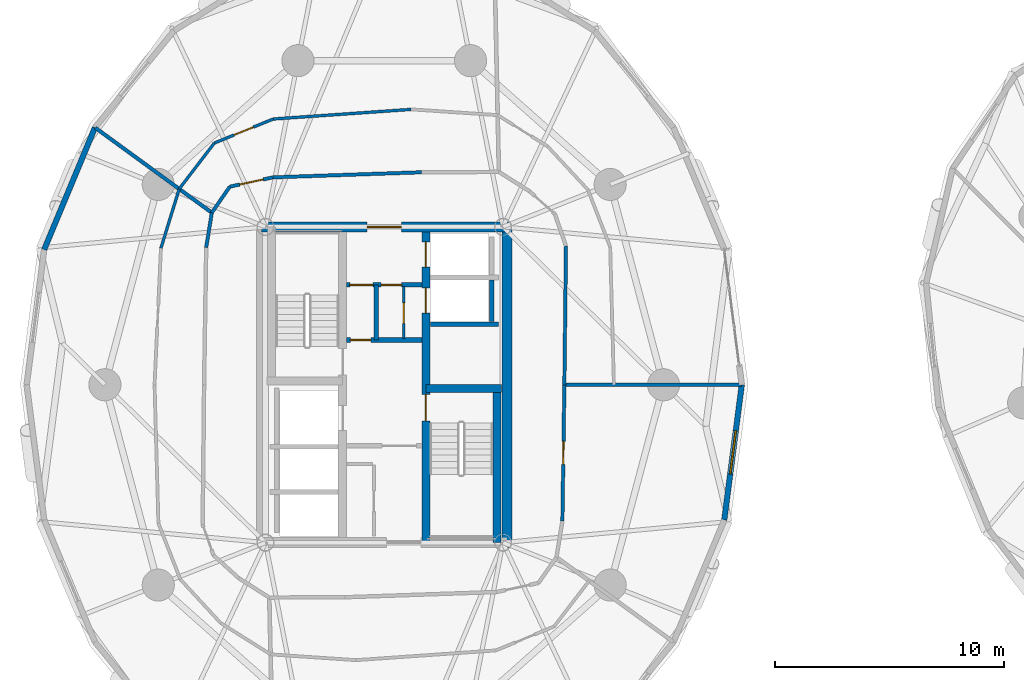
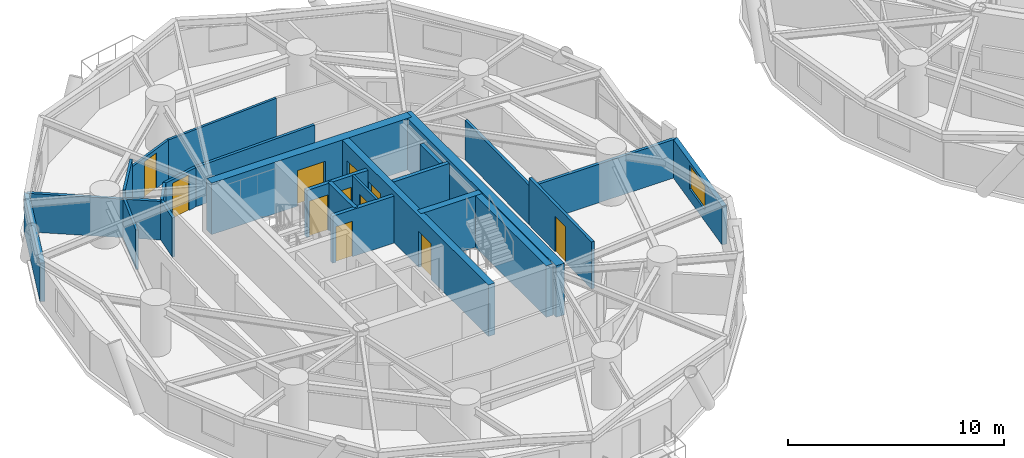
# One storey, part 10 of 18: 25 walls, 11 doors, 1 window, 12 openings.
"""IFC4 building model written with IfcOpenShell, lengths in metres."""

from ifc_helpers import new_model, si_unit, direction, frame, frame_2d, origin, place, context, subcontext, project, spatial, rectangle, extrude, source, transform, mapped, material, layer, layer_set, type_object, element, fill, save


model = new_model("IFC4")

# Units and contexts
model_context = context("Model", 3, precision=1e-05, world=origin(), true_north=direction((0.0, 1.0)))
body_context = subcontext(model_context, "Body", "Model", "MODEL_VIEW")
ifc_project = project(units=[si_unit("LENGTHUNIT", "METRE"), si_unit("AREAUNIT", "SQUARE_METRE"), si_unit("VOLUMEUNIT", "CUBIC_METRE"), si_unit("PLANEANGLEUNIT", "RADIAN"), si_unit("MASSUNIT", "GRAM", prefix="KILO")], contexts=[model_context])

# Site, building, storey
site_placement = place(None, origin())
site = spatial("IfcSite", under=ifc_project, at=site_placement, CompositionType="ELEMENT")
building_placement = place(site_placement, origin())
building = spatial("IfcBuilding", under=site, at=building_placement, Name="Cununo Teusaquillo Station Towers", CompositionType="ELEMENT")
storey_placement = place(building_placement, frame((0.0, 0.0, 87.610107421875)))
storey = spatial("IfcBuildingStorey", under=building, at=storey_placement, Name="L27", CompositionType="ELEMENT", Elevation=87.610107421875)

# Walls
ifc_material_1 = material(Name="Concrete C50/60", Category="concrete")
ifc_layer_1 = layer(ifc_material_1, 0.199951171875)
ifc_layer_set_1 = layer_set([ifc_layer_1], Name="Concrete C50/60")
wall_type_1 = type_object("IfcWallType", Name="WL-CORE-200", PredefinedType="SHEAR", material=ifc_layer_set_1)
wall_1_placement = place(storey_placement, frame((18.510009765625, 27.1298828125, 0.0), z_axis=(0.0, 0.0, 1.0), x_axis=(1.0, 0.0, 0.0)))
element("IfcWall", 1, at=wall_1_placement, inside=storey, type_object=wall_type_1, Name="L27 Tower A Low-Rise Lift Hoistway South Shear Wall", PredefinedType="SHEAR", context=body_context, shape_type="SweptSolid", body=[
    extrude(rectangle(XDim=2.969970703125, YDim=0.199951171875, at=frame_2d((1.48486328125, 0.0))), origin(), (0.0, 0.0, 1.0), 2.909912109375),
])
wall_2_placement = place(storey_placement, frame((21.179931640625, 27.25, 0.0), z_axis=(0.0, 0.0, 1.0), x_axis=(0.0, 1.0, 0.0)))
element("IfcWall", 2, at=wall_2_placement, inside=storey, type_object=wall_type_1, Name="L27 Tower A Low-Rise Lift 1 Shaft Rear Shear Wall", PredefinedType="SHEAR", context=body_context, shape_type="SweptSolid", body=[
    extrude(rectangle(XDim=1.804931640625, YDim=0.199951171875, at=frame_2d((0.90234375, 0.0))), origin(), (0.0, 0.0, 1.0), 2.909912109375),
])

# Wall, openings, doors
ifc_material_2 = material(Name="Concrete C50/60", Category="concrete")
ifc_layer_2 = layer(ifc_material_2, 0.35009765625)
ifc_layer_set_2 = layer_set([ifc_layer_2], Name="Concrete C50/60")
wall_type_2 = type_object("IfcWallType", Name="WL-CORE-350", PredefinedType="SHEAR", material=ifc_layer_set_2)
wall_3_placement = place(storey_placement, frame((18.31494140625, 17.625, 0.0), z_axis=(0.0, 0.0, 1.0), x_axis=(0.0, 1.0, 0.0)))
wall_3 = element("IfcWall", 3, at=wall_3_placement, inside=storey, type_object=wall_type_2, Name="L27 Tower A Core Shear Wall IE", PredefinedType="SHEAR", context=body_context, shape_type="SweptSolid", body=[
    extrude(rectangle(XDim=13.75, YDim=0.35009765625, at=frame_2d((6.875, 0.0))), origin(), (0.0, 0.0, 1.0), 2.909912109375),
])
shared_shape_1 = source(origin(), body_context, "Body", "SweptSolid", [
    extrude(rectangle(XDim=1.10009765625, YDim=2.014892578125, at=frame_2d((0.550048828125, 1.00732421875))), frame((0.0, 0.18505859375, 0.0), z_axis=(0.0, -1.0, 0.0), x_axis=(1.0, 0.0, 0.0)), (0.0, 0.0, 1.0), 0.3701171875),
])
opening_1_placement = place(wall_3_placement, frame((10.0, 0.0, 0.0)))
opening_1 = element("IfcOpeningElement", 4, at=opening_1_placement, cuts=wall_3, Name="Opening LD-01", PredefinedType="OPENING", context=body_context, shape_type="MappedRepresentation", body=[
    mapped(shared_shape_1, transform((0.0, 0.0, 0.0), x_axis=(1.0, 0.0, 0.0), y_axis=(0.0, 1.0, 0.0), z_axis=(0.0, 0.0, 1.0), scale=1.0)),
])
opening_2_placement = place(wall_3_placement, frame((12.0, 0.0, 0.0)))
opening_2 = element("IfcOpeningElement", 5, at=opening_2_placement, cuts=wall_3, Name="Opening LD-01", PredefinedType="OPENING", context=body_context, shape_type="MappedRepresentation", body=[
    mapped(shared_shape_1, transform((0.0, 0.0, 0.0), x_axis=(1.0, 0.0, 0.0), y_axis=(0.0, 1.0, 0.0), z_axis=(0.0, 0.0, 1.0), scale=1.0)),
])
shared_shape_2 = source(origin(), body_context, "Body", "SweptSolid", [
    extrude(rectangle(XDim=1.14990234375, YDim=2.02001953125, at=frame_2d((0.574951171875, 1.010009765625))), frame((0.0, 0.18505859375, 0.0), z_axis=(0.0, -1.0, 0.0), x_axis=(1.0, 0.0, 0.0)), (0.0, 0.0, 1.0), 0.3701171875),
])
opening_3_placement = place(wall_3_placement, frame((5.304931640625, 0.0, 0.0)))
opening_3 = element("IfcOpeningElement", 6, at=opening_3_placement, cuts=wall_3, Name="Opening D-ST1", PredefinedType="OPENING", context=body_context, shape_type="MappedRepresentation", body=[
    mapped(shared_shape_2, transform((0.0, 0.0, 0.0), x_axis=(1.0, 0.0, 0.0), y_axis=(0.0, 1.0, 0.0), z_axis=(0.0, 0.0, 1.0), scale=1.0)),
])
ifc_material_3 = material(Name="Galvanised fire-rated hollow steel door assembly", Category="steel")
door_type_1 = type_object("IfcDoorType", Name="DR-LIFT-1100", OperationType="SLIDING_TO_LEFT", PredefinedType="DOOR", material=ifc_material_3)
shared_shape_3 = source(origin(), body_context, "Body", "SweptSolid", [
    extrude(rectangle(XDim=1.10009765625, YDim=2.014892578125, at=frame_2d((0.550048828125, 1.00732421875))), frame((0.0, 0.02490234375, 0.0), z_axis=(0.0, -1.0, 0.0), x_axis=(1.0, 0.0, 0.0)), (0.0, 0.0, 1.0), 0.050048828125),
])
door_1_placement = place(opening_1_placement, origin())
door_1 = element("IfcDoor", 7, at=door_1_placement, inside=storey, type_object=door_type_1, Name="L27 Lift PL-T1-L1 Sliding Landing Door", OperationType="SLIDING_TO_RIGHT", OverallHeight=2.014892578125, OverallWidth=1.10009765625, PredefinedType="DOOR", context=body_context, shape_type="MappedRepresentation", body=[
    mapped(shared_shape_3, transform((0.0, 0.0, 0.0), x_axis=(1.0, 0.0, 0.0), y_axis=(0.0, 1.0, 0.0), z_axis=(0.0, 0.0, 1.0), scale=1.0)),
])
fill(opening_1, door_1)
door_2_placement = place(opening_2_placement, origin())
door_2 = element("IfcDoor", 8, at=door_2_placement, inside=storey, type_object=door_type_1, Name="L27 Lift PL-T1-L2 Sliding Landing Door", OperationType="SLIDING_TO_LEFT", OverallHeight=2.014892578125, OverallWidth=1.10009765625, PredefinedType="DOOR", context=body_context, shape_type="MappedRepresentation", body=[
    mapped(shared_shape_3, transform((0.0, 0.0, 0.0), x_axis=(1.0, 0.0, 0.0), y_axis=(0.0, 1.0, 0.0), z_axis=(0.0, 0.0, 1.0), scale=1.0)),
])
fill(opening_2, door_2)
ifc_material_4 = material(Name="Galvanised fire-rated hollow steel door assembly", Category="steel")
door_type_2 = type_object("IfcDoorType", Name="DR-STAIR-1150", OperationType="NOTDEFINED", PredefinedType="DOOR", material=ifc_material_4)
shared_shape_4 = source(origin(), body_context, "Body", "SweptSolid", [
    extrude(rectangle(XDim=1.14990234375, YDim=2.02001953125, at=frame_2d((0.574951171875, 1.010009765625))), frame((0.0, 0.02490234375, 0.0), z_axis=(0.0, -1.0, 0.0), x_axis=(1.0, 0.0, 0.0)), (0.0, 0.0, 1.0), 0.050048828125),
])
door_3_placement = place(opening_3_placement, origin())
door_3 = element("IfcDoor", 9, at=door_3_placement, inside=storey, type_object=door_type_2, Name="L27 Tower A Exit Stair 2 Fire Door", OperationType="SINGLE_SWING_RIGHT", OverallHeight=2.02001953125, OverallWidth=1.14990234375, PredefinedType="DOOR", context=body_context, shape_type="MappedRepresentation", body=[
    mapped(shared_shape_4, transform((0.0, 0.0, 0.0), x_axis=(1.0, 0.0, 0.0), y_axis=(0.0, 1.0, 0.0), z_axis=(0.0, 0.0, 1.0), scale=1.0)),
])
fill(opening_3, door_3)

# Walls
wall_4_placement = place(storey_placement, frame((21.405029296875, 17.625, 0.0), z_axis=(0.0, 0.0, 1.0), x_axis=(0.0, 1.0, 0.0)))
element("IfcWall", 10, at=wall_4_placement, inside=storey, type_object=wall_type_2, Name="L27 Tower A Core Shear Wall ST2E", PredefinedType="SHEAR", context=body_context, shape_type="SweptSolid", body=[
    extrude(rectangle(XDim=6.719970703125, YDim=0.35009765625, at=frame_2d((3.35986328125, 0.0))), origin(), (0.0, 0.0, 1.0), 2.909912109375),
])
wall_5_placement = place(storey_placement, frame((18.31494140625, 24.344970703125, 0.0), z_axis=(0.0, 0.0, 1.0), x_axis=(1.0, 0.0, 0.0)))
element("IfcWall", 11, at=wall_5_placement, inside=storey, type_object=wall_type_2, Name="L27 Tower A Core Shear Wall ST2N", PredefinedType="SHEAR", context=body_context, shape_type="SweptSolid", body=[
    extrude(rectangle(XDim=3.28515625, YDim=0.35009765625, at=frame_2d((1.642578125, 0.0))), origin(), (0.0, 0.0, 1.0), 2.909912109375),
])
ifc_material_5 = material(Name="Concrete C60/75", Category="concrete")
ifc_layer_3 = layer(ifc_material_5, 0.449951171875)
ifc_layer_set_3 = layer_set([ifc_layer_3], Name="Concrete C60/75")
wall_type_3 = type_object("IfcWallType", Name="WL-CORE-450", PredefinedType="SHEAR", material=ifc_layer_set_3)
wall_6_placement = place(storey_placement, frame((21.85009765625, 17.39990234375, 0.0), z_axis=(0.0, 0.0, 1.0), x_axis=(0.0, 1.0, 0.0)))
element("IfcWall", 12, at=wall_6_placement, inside=storey, type_object=wall_type_3, Name="L27 Tower A Core Shear Wall E", PredefinedType="SHEAR", context=body_context, shape_type="SweptSolid", body=[
    extrude(rectangle(XDim=14.2001953125, YDim=0.449951171875, at=frame_2d((7.10009765625, 0.0))), origin(), (0.0, 0.0, 1.0), 2.909912109375),
])

# Wall, opening, door
wall_7_placement = place(storey_placement, frame((11.14990234375, 31.375, 0.0), z_axis=(0.0, 0.0, 1.0), x_axis=(1.0, 0.0, 0.0)))
wall_7 = element("IfcWall", 13, at=wall_7_placement, inside=storey, type_object=wall_type_3, Name="L27 Tower A Core Shear Wall N", PredefinedType="SHEAR", context=body_context, shape_type="SweptSolid", body=[
    extrude(rectangle(XDim=10.7001953125, YDim=0.449951171875, at=frame_2d((5.35009765625, 0.0))), origin(), (0.0, 0.0, 1.0), 2.909912109375),
])
shared_shape_5 = source(origin(), body_context, "Body", "SweptSolid", [
    extrude(rectangle(XDim=1.5, YDim=2.02001953125, at=frame_2d((0.75, 1.010009765625))), frame((0.0, 0.23486328125, 0.0), z_axis=(0.0, -1.0, 0.0), x_axis=(1.0, 0.0, 0.0)), (0.0, 0.0, 1.0), 0.469970703125),
])
opening_4_placement = place(wall_7_placement, frame((4.60009765625, 0.0, 0.0)))
opening_4 = element("IfcOpeningElement", 14, at=opening_4_placement, cuts=wall_7, Name="Opening D-LB1", PredefinedType="OPENING", context=body_context, shape_type="MappedRepresentation", body=[
    mapped(shared_shape_5, transform((0.0, 0.0, 0.0), x_axis=(1.0, 0.0, 0.0), y_axis=(0.0, 1.0, 0.0), z_axis=(0.0, 0.0, 1.0), scale=1.0)),
])
ifc_material_6 = material(Name="Galvanised fire-rated hollow steel door assembly", Category="steel")
door_type_3 = type_object("IfcDoorType", Name="DR-LOBBY-1500", OperationType="DOUBLE_DOOR_SINGLE_SWING", PredefinedType="DOOR", material=ifc_material_6)
shared_shape_6 = source(origin(), body_context, "Body", "SweptSolid", [
    extrude(rectangle(XDim=1.5, YDim=2.02001953125, at=frame_2d((0.75, 1.010009765625))), frame((0.0, 0.02490234375, 0.0), z_axis=(0.0, -1.0, 0.0), x_axis=(1.0, 0.0, 0.0)), (0.0, 0.0, 1.0), 0.050048828125),
])
door_4_placement = place(opening_4_placement, origin())
door_4 = element("IfcDoor", 15, at=door_4_placement, inside=storey, type_object=door_type_3, Name="L27 Tower A North Core Lift Lobby Door", OperationType="DOUBLE_DOOR_SINGLE_SWING", OverallHeight=2.02001953125, OverallWidth=1.5, PredefinedType="DOOR", context=body_context, shape_type="MappedRepresentation", body=[
    mapped(shared_shape_6, transform((0.0, 0.0, 0.0), x_axis=(1.0, 0.0, 0.0), y_axis=(0.0, 1.0, 0.0), z_axis=(0.0, 0.0, 1.0), scale=1.0)),
])
fill(opening_4, door_4)

# Wall
ifc_material_7 = material(Name="Precast concrete C40/50", Category="concrete")
ifc_layer_4 = layer(ifc_material_7, 0.239990234375)
ifc_layer_set_4 = layer_set([ifc_layer_4], Name="Precast concrete C40/50")
wall_type_4 = type_object("IfcWallType", Name="WL-EXT-240", PredefinedType="SOLIDWALL", material=ifc_layer_set_4)
wall_8_placement = place(storey_placement, frame((1.681640625, 30.39306640625, 0.0), z_axis=(0.0, 0.0, 1.0), x_axis=(0.384344417632, 0.923189779317, 0.0)))
element("IfcWall", 16, at=wall_8_placement, inside=storey, type_object=wall_type_4, Name="L27 Tower A Exterior Facade Wall C08", PredefinedType="SOLIDWALL", context=body_context, shape_type="SweptSolid", body=[
    extrude(rectangle(XDim=5.75830078125, YDim=0.239990234375, at=frame_2d((2.879150390625, 0.0))), origin(), (0.0, 0.0, 1.0), 2.178955078125),
])

# Wall, opening, window
wall_9_placement = place(storey_placement, frame((32.0810546875, 24.5, 0.0), z_axis=(0.0, 0.0, 1.0), x_axis=(-0.128351991996, -0.991728675672, 0.0)))
wall_9 = element("IfcWall", 17, at=wall_9_placement, inside=storey, type_object=wall_type_4, Name="L27 Tower A Exterior Facade Wall C19", PredefinedType="SOLIDWALL", context=body_context, shape_type="SweptSolid", body=[
    extrude(rectangle(XDim=5.942138671875, YDim=0.239990234375, at=frame_2d((2.97119140625, 0.0))), origin(), (0.0, 0.0, 1.0), 2.178955078125),
])
shared_shape_7 = source(origin(), body_context, "Body", "SweptSolid", [
    extrude(rectangle(XDim=1.89990234375, YDim=1.35009765625, at=frame_2d((0.949951171875, 0.675048828125))), frame((0.0, 0.1298828125, 0.0), z_axis=(0.0, -1.0, 0.0), x_axis=(1.0, 0.0, 0.0)), (0.0, 0.0, 1.0), 0.260009765625),
])
opening_5_placement = place(wall_9_placement, frame((2.02099609375, 0.0, 0.64990234375)))
opening_5 = element("IfcOpeningElement", 18, at=opening_5_placement, cuts=wall_9, Name="Opening WN-02", PredefinedType="OPENING", context=body_context, shape_type="MappedRepresentation", body=[
    mapped(shared_shape_7, transform((0.0, 0.0, 0.0), x_axis=(1.0, 0.0, 0.0), y_axis=(0.0, 1.0, 0.0), z_axis=(0.0, 0.0, 1.0), scale=1.0)),
])
ifc_material_8 = material(Name="Operable acoustic tinted low-E double glazing", Category="glass")
window_type = type_object("IfcWindowType", Name="WIN-OPER-1900", PartitioningType="DOUBLE_PANEL_VERTICAL", PredefinedType="WINDOW", material=ifc_material_8)
shared_shape_8 = source(origin(), body_context, "Body", "SweptSolid", [
    extrude(rectangle(XDim=1.89990234375, YDim=1.35009765625, at=frame_2d((0.949951171875, 0.675048828125))), frame((0.0, 0.030029296875, 0.0), z_axis=(0.0, -1.0, 0.0), x_axis=(1.0, 0.0, 0.0)), (0.0, 0.0, 1.0), 0.06005859375),
])
window_placement = place(opening_5_placement, origin())
window = element("IfcWindow", 19, at=window_placement, inside=storey, type_object=window_type, Name="L27 Tower A Facade Window C19", OverallHeight=1.35009765625, OverallWidth=1.89990234375, PartitioningType="DOUBLE_PANEL_VERTICAL", PredefinedType="WINDOW", context=body_context, shape_type="MappedRepresentation", body=[
    mapped(shared_shape_8, transform((0.0, 0.0, 0.0), x_axis=(1.0, 0.0, 0.0), y_axis=(0.0, 1.0, 0.0), z_axis=(0.0, 0.0, 1.0), scale=1.0)),
])
fill(opening_5, window)

# Wall, opening, door
ifc_material_9 = material(Name="Fire-rated gypsum plasterboard partition assembly", Category="gypsum")
ifc_layer_5 = layer(ifc_material_9, 0.125)
ifc_layer_set_5 = layer_set([ifc_layer_5], Name="Fire-rated gypsum plasterboard partition assembly")
wall_type_5 = type_object("IfcWallType", Name="WL-PART-125", PredefinedType="PARTITIONING", material=ifc_layer_set_5)
wall_10_placement = place(storey_placement, frame((17.35009765625, 26.52001953125, 0.0), z_axis=(0.0, 0.0, 1.0), x_axis=(0.0, 1.0, 0.0)))
wall_10 = element("IfcWall", 20, at=wall_10_placement, inside=storey, type_object=wall_type_5, Name="L27 Tower A Core Vertical Split Wall", PredefinedType="PARTITIONING", context=body_context, shape_type="SweptSolid", body=[
    extrude(rectangle(XDim=2.260009765625, YDim=0.125, at=frame_2d((1.1298828125, 0.0))), origin(), (0.0, 0.0, 1.0), 2.65478515625),
])
shared_shape_9 = source(origin(), body_context, "Body", "SweptSolid", [
    extrude(rectangle(XDim=0.89990234375, YDim=2.0048828125, at=frame_2d((0.449951171875, 1.00244140625))), frame((0.0, 0.072509765625, 0.0), z_axis=(0.0, -1.0, 0.0), x_axis=(1.0, 0.0, 0.0)), (0.0, 0.0, 1.0), 0.14501953125),
])
opening_6_placement = place(wall_10_placement, frame((0.64990234375, 0.0, 0.0)))
opening_6 = element("IfcOpeningElement", 21, at=opening_6_placement, cuts=wall_10, Name="Opening D-SR1", PredefinedType="OPENING", context=body_context, shape_type="MappedRepresentation", body=[
    mapped(shared_shape_9, transform((0.0, 0.0, 0.0), x_axis=(1.0, 0.0, 0.0), y_axis=(0.0, 1.0, 0.0), z_axis=(0.0, 0.0, 1.0), scale=1.0)),
])
ifc_material_10 = material(Name="Galvanised fire-rated hollow steel door assembly", Category="steel")
door_type_4 = type_object("IfcDoorType", Name="DR-STORE-900", OperationType="NOTDEFINED", PredefinedType="DOOR", material=ifc_material_10)
shared_shape_10 = source(origin(), body_context, "Body", "SweptSolid", [
    extrude(rectangle(XDim=0.89990234375, YDim=2.0048828125, at=frame_2d((0.449951171875, 1.00244140625))), frame((0.0, 0.02490234375, 0.0), z_axis=(0.0, -1.0, 0.0), x_axis=(1.0, 0.0, 0.0)), (0.0, 0.0, 1.0), 0.050048828125),
])
door_5_placement = place(opening_6_placement, origin())
door_5 = element("IfcDoor", 22, at=door_5_placement, inside=storey, type_object=door_type_4, Name="L27 Tower A Core Electrical Room Door", OperationType="SINGLE_SWING_LEFT", OverallHeight=2.0048828125, OverallWidth=0.89990234375, PredefinedType="DOOR", context=body_context, shape_type="MappedRepresentation", body=[
    mapped(shared_shape_10, transform((0.0, 0.0, 0.0), x_axis=(1.0, 0.0, 0.0), y_axis=(0.0, 1.0, 0.0), z_axis=(0.0, 0.0, 1.0), scale=1.0)),
])
fill(opening_6, door_5)

# Wall
wall_11_placement = place(storey_placement, frame((17.675537109375, 36.500732421875, 0.0), z_axis=(0.0, 0.0, 1.0), x_axis=(-0.997570913993, -0.069658248298, 0.0)))
element("IfcWall", 23, at=wall_11_placement, inside=storey, type_object=wall_type_5, Name="L27 Tower A Parametric Prototyping Lab Concentric Partition Wall C05", PredefinedType="PARTITIONING", context=body_context, shape_type="SweptSolid", body=[
    extrude(rectangle(XDim=6.0283203125, YDim=0.125, at=frame_2d((3.01416015625, 0.0))), origin(), (0.0, 0.0, 1.0), 2.224853515625),
])

# Wall, opening, door
wall_12_placement = place(storey_placement, frame((11.661865234375, 36.080810546875, 0.0), z_axis=(0.0, 0.0, 1.0), x_axis=(-0.925664670378, -0.378344972234, 0.0)))
wall_12 = element("IfcWall", 24, at=wall_12_placement, inside=storey, type_object=wall_type_5, Name="L27 Tower A Parametric Prototyping Lab Concentric Partition Wall C06", PredefinedType="PARTITIONING", context=body_context, shape_type="SweptSolid", body=[
    extrude(rectangle(XDim=2.774169921875, YDim=0.125, at=frame_2d((1.38720703125, 0.0))), origin(), (0.0, 0.0, 1.0), 2.224853515625),
])
opening_7_placement = place(wall_12_placement, frame((0.93701171875, 0.0, 0.0)))
opening_7 = element("IfcOpeningElement", 25, at=opening_7_placement, cuts=wall_12, Name="Opening D-IN1", PredefinedType="OPENING", context=body_context, shape_type="MappedRepresentation", body=[
    mapped(shared_shape_9, transform((0.0, 0.0, 0.0), x_axis=(1.0, 0.0, 0.0), y_axis=(0.0, 1.0, 0.0), z_axis=(0.0, 0.0, 1.0), scale=1.0)),
])
ifc_material_11 = material(Name="Acoustic solid-core hardwood leaf assembly", Category="wood")
door_type_5 = type_object("IfcDoorType", Name="DR-INT-900", OperationType="NOTDEFINED", PredefinedType="DOOR", material=ifc_material_11)
door_6_placement = place(opening_7_placement, origin())
door_6 = element("IfcDoor", 26, at=door_6_placement, inside=storey, type_object=door_type_5, Name="L27 Tower A Parametric Prototyping Lab Connecting Door", OperationType="SINGLE_SWING_LEFT", OverallHeight=2.0048828125, OverallWidth=0.89990234375, PredefinedType="DOOR", context=body_context, shape_type="MappedRepresentation", body=[
    mapped(shared_shape_10, transform((0.0, 0.0, 0.0), x_axis=(1.0, 0.0, 0.0), y_axis=(0.0, 1.0, 0.0), z_axis=(0.0, 0.0, 1.0), scale=1.0)),
])
fill(opening_7, door_6)

# Walls
wall_13_placement = place(storey_placement, frame((9.093994140625, 35.03125, 0.0), z_axis=(0.0, 0.0, 1.0), x_axis=(-0.607813927368, -0.794079485755, 0.0)))
element("IfcWall", 27, at=wall_13_placement, inside=storey, type_object=wall_type_5, Name="L27 Tower A Parametric Prototyping Lab Concentric Partition Wall C07", PredefinedType="PARTITIONING", context=body_context, shape_type="SweptSolid", body=[
    extrude(rectangle(XDim=2.51513671875, YDim=0.125, at=frame_2d((1.257568359375, 0.0))), origin(), (0.0, 0.0, 1.0), 2.65478515625),
])
wall_14_placement = place(storey_placement, frame((7.565185546875, 33.033935546875, 0.0), z_axis=(0.0, 0.0, 1.0), x_axis=(-0.294365365095, -0.955692958974, 0.0)))
element("IfcWall", 28, at=wall_14_placement, inside=storey, type_object=wall_type_5, Name="L27 Tower A Client Demo Briefing Gallery Concentric Partition Wall C08", PredefinedType="PARTITIONING", context=body_context, shape_type="SweptSolid", body=[
    extrude(rectangle(XDim=2.700439453125, YDim=0.125, at=frame_2d((1.35009765625, 0.0))), origin(), (0.0, 0.0, 1.0), 2.224853515625),
])
ifc_material_12 = material(Name="Fire-rated gypsum plasterboard partition assembly", Category="gypsum")
ifc_layer_6 = layer(ifc_material_12, 0.14990234375)
ifc_layer_set_6 = layer_set([ifc_layer_6], Name="Fire-rated gypsum plasterboard partition assembly")
wall_type_6 = type_object("IfcWallType", Name="WL-PART-150", PredefinedType="PARTITIONING", material=ifc_layer_set_6)
wall_15_placement = place(storey_placement, frame((24.35009765625, 24.5, 0.0), z_axis=(0.0, 0.0, 1.0), x_axis=(0.011582078845, 0.999932925475, 0.0)))
element("IfcWall", 29, at=wall_15_placement, inside=storey, type_object=wall_type_6, Name="L27 Tower A Corridor Ring Wall C00", PredefinedType="PARTITIONING", context=body_context, shape_type="SweptSolid", body=[
    extrude(rectangle(XDim=6.0498046875, YDim=0.14990234375, at=frame_2d((3.02490234375, 0.0))), origin(), (0.0, 0.0, 1.0), 2.224853515625),
])
wall_16_placement = place(storey_placement, frame((18.1328125, 33.759521484375, 0.0), z_axis=(0.0, 0.0, 1.0), x_axis=(-0.999419643988, -0.034064280574, 0.0)))
element("IfcWall", 30, at=wall_16_placement, inside=storey, type_object=wall_type_6, Name="L27 Tower A Corridor Ring Wall C05", PredefinedType="PARTITIONING", context=body_context, shape_type="SweptSolid", body=[
    extrude(rectangle(XDim=6.486083984375, YDim=0.14990234375, at=frame_2d((3.2431640625, 0.0))), origin(), (0.0, 0.0, 1.0), 2.224853515625),
])

# Wall, opening, door
wall_17_placement = place(storey_placement, frame((11.650390625, 33.53857421875, 0.0), z_axis=(0.0, 0.0, 1.0), x_axis=(-0.977535921581, -0.210768882949, 0.0)))
wall_17 = element("IfcWall", 31, at=wall_17_placement, inside=storey, type_object=wall_type_6, Name="L27 Tower A Corridor Ring Wall C06", PredefinedType="PARTITIONING", context=body_context, shape_type="SweptSolid", body=[
    extrude(rectangle(XDim=1.9228515625, YDim=0.14990234375, at=frame_2d((0.96142578125, 0.0))), origin(), (0.0, 0.0, 1.0), 2.224853515625),
])
shared_shape_11 = source(origin(), body_context, "Body", "SweptSolid", [
    extrude(rectangle(XDim=1.050048828125, YDim=2.014892578125, at=frame_2d((0.52490234375, 1.00732421875))), frame((0.0, 0.0849609375, 0.0), z_axis=(0.0, -1.0, 0.0), x_axis=(1.0, 0.0, 0.0)), (0.0, 0.0, 1.0), 0.169921875),
])
opening_8_placement = place(wall_17_placement, frame((0.436279296875, 0.0, 0.0)))
opening_8 = element("IfcOpeningElement", 32, at=opening_8_placement, cuts=wall_17, Name="Opening D-SU1", PredefinedType="OPENING", context=body_context, shape_type="MappedRepresentation", body=[
    mapped(shared_shape_11, transform((0.0, 0.0, 0.0), x_axis=(1.0, 0.0, 0.0), y_axis=(0.0, 1.0, 0.0), z_axis=(0.0, 0.0, 1.0), scale=1.0)),
])
ifc_material_13 = material(Name="Acoustic solid-core hardwood leaf assembly", Category="wood")
door_type_6 = type_object("IfcDoorType", Name="DR-SUITE-1050", OperationType="NOTDEFINED", PredefinedType="DOOR", material=ifc_material_13)
shared_shape_12 = source(origin(), body_context, "Body", "SweptSolid", [
    extrude(rectangle(XDim=1.050048828125, YDim=2.014892578125, at=frame_2d((0.52490234375, 1.00732421875))), frame((0.0, 0.02490234375, 0.0), z_axis=(0.0, -1.0, 0.0), x_axis=(1.0, 0.0, 0.0)), (0.0, 0.0, 1.0), 0.050048828125),
])
door_7_placement = place(opening_8_placement, origin())
door_7 = element("IfcDoor", 33, at=door_7_placement, inside=storey, type_object=door_type_6, Name="L27 Tower A Parametric Prototyping Lab Entrance Door", OperationType="SINGLE_SWING_RIGHT", OverallHeight=2.014892578125, OverallWidth=1.050048828125, PredefinedType="DOOR", context=body_context, shape_type="MappedRepresentation", body=[
    mapped(shared_shape_12, transform((0.0, 0.0, 0.0), x_axis=(1.0, 0.0, 0.0), y_axis=(0.0, 1.0, 0.0), z_axis=(0.0, 0.0, 1.0), scale=1.0)),
])
fill(opening_8, door_7)

# Walls
wall_18_placement = place(storey_placement, frame((9.770751953125, 33.13330078125, 0.0), z_axis=(0.0, 0.0, 1.0), x_axis=(-0.568464531016, -0.822707771312, 0.0)))
element("IfcWall", 34, at=wall_18_placement, inside=storey, type_object=wall_type_6, Name="L27 Tower A Corridor Ring Wall C07", PredefinedType="PARTITIONING", context=body_context, shape_type="SweptSolid", body=[
    extrude(rectangle(XDim=1.3798828125, YDim=0.14990234375, at=frame_2d((0.68994140625, 0.0))), origin(), (0.0, 0.0, 1.0), 2.224853515625),
])
wall_19_placement = place(storey_placement, frame((8.986328125, 31.998046875, 0.0), z_axis=(0.0, 0.0, 1.0), x_axis=(-0.158992972351, -0.98727971454, 0.0)))
element("IfcWall", 35, at=wall_19_placement, inside=storey, type_object=wall_type_6, Name="L27 Tower A Corridor Ring Wall C08", PredefinedType="PARTITIONING", context=body_context, shape_type="SweptSolid", body=[
    extrude(rectangle(XDim=1.53857421875, YDim=0.14990234375, at=frame_2d((0.769287109375, 0.0))), origin(), (0.0, 0.0, 1.0), 2.224853515625),
])

# Wall, opening, door
wall_20_placement = place(storey_placement, frame((24.264404296875, 18.56103515625, 0.0), z_axis=(0.0, 0.0, 1.0), x_axis=(0.014427504204, 0.999895918145, 0.0)))
wall_20 = element("IfcWall", 36, at=wall_20_placement, inside=storey, type_object=wall_type_6, Name="L27 Tower A Corridor Ring Wall C19", PredefinedType="PARTITIONING", context=body_context, shape_type="SweptSolid", body=[
    extrude(rectangle(XDim=5.939697265625, YDim=0.14990234375, at=frame_2d((2.9697265625, 0.0))), origin(), (0.0, 0.0, 1.0), 2.65478515625),
])
shared_shape_13 = source(origin(), body_context, "Body", "SweptSolid", [
    extrude(rectangle(XDim=1.0, YDim=2.014892578125, at=frame_2d((0.5, 1.00732421875))), frame((0.0, 0.0849609375, 0.0), z_axis=(0.0, -1.0, 0.0), x_axis=(1.0, 0.0, 0.0)), (0.0, 0.0, 1.0), 0.169921875),
])
opening_9_placement = place(wall_20_placement, frame((2.4697265625, 0.0, 0.0)))
opening_9 = element("IfcOpeningElement", 37, at=opening_9_placement, cuts=wall_20, Name="Opening D-AC1", PredefinedType="OPENING", context=body_context, shape_type="MappedRepresentation", body=[
    mapped(shared_shape_13, transform((0.0, 0.0, 0.0), x_axis=(1.0, 0.0, 0.0), y_axis=(0.0, 1.0, 0.0), z_axis=(0.0, 0.0, 1.0), scale=1.0)),
])
ifc_material_14 = material(Name="Acoustic solid-core hardwood leaf assembly", Category="wood")
door_type_7 = type_object("IfcDoorType", Name="DR-ACC-1000", OperationType="NOTDEFINED", PredefinedType="DOOR", material=ifc_material_14)
shared_shape_14 = source(origin(), body_context, "Body", "SweptSolid", [
    extrude(rectangle(XDim=1.0, YDim=2.014892578125, at=frame_2d((0.5, 1.00732421875))), frame((0.0, 0.02490234375, 0.0), z_axis=(0.0, -1.0, 0.0), x_axis=(1.0, 0.0, 0.0)), (0.0, 0.0, 1.0), 0.050048828125),
])
door_8_placement = place(opening_9_placement, origin())
door_8 = element("IfcDoor", 38, at=door_8_placement, inside=storey, type_object=door_type_7, Name="L27 Tower A Public Accessible Restroom WC Entrance Door", OperationType="SINGLE_SWING_RIGHT", OverallHeight=2.014892578125, OverallWidth=1.0, PredefinedType="DOOR", context=body_context, shape_type="MappedRepresentation", body=[
    mapped(shared_shape_14, transform((0.0, 0.0, 0.0), x_axis=(1.0, 0.0, 0.0), y_axis=(0.0, 1.0, 0.0), z_axis=(0.0, 0.0, 1.0), scale=1.0)),
])
fill(opening_9, door_8)

# Walls
ifc_material_15 = material(Name="Fire-rated gypsum plasterboard partition assembly", Category="gypsum")
ifc_layer_7 = layer(ifc_material_15, 0.159912109375)
ifc_layer_set_7 = layer_set([ifc_layer_7], Name="Fire-rated gypsum plasterboard partition assembly")
wall_type_7 = type_object("IfcWallType", Name="WL-PART-160", PredefinedType="PARTITIONING", material=ifc_layer_set_7)
wall_21_placement = place(storey_placement, frame((24.35009765625, 24.5, 0.0), z_axis=(0.0, 0.0, 1.0), x_axis=(1.0, 0.0, 0.0)))
element("IfcWall", 39, at=wall_21_placement, inside=storey, type_object=wall_type_7, Name="L27 Tower A Radial Suite Partition R01", PredefinedType="PARTITIONING", context=body_context, shape_type="SweptSolid", body=[
    extrude(rectangle(XDim=7.7109375, YDim=0.159912109375, at=frame_2d((3.85546875, 0.0))), origin(), (0.0, 0.0, 1.0), 2.178955078125),
])
wall_22_placement = place(storey_placement, frame((8.986328125, 31.998046875, 0.0), z_axis=(0.0, 0.0, 1.0), x_axis=(-0.808130498411, 0.589003478375, 0.0)))
element("IfcWall", 40, at=wall_22_placement, inside=storey, type_object=wall_type_7, Name="L27 Tower A Radial Suite Partition R03", PredefinedType="PARTITIONING", context=body_context, shape_type="SweptSolid", body=[
    extrude(rectangle(XDim=6.280517578125, YDim=0.159912109375, at=frame_2d((3.14013671875, 0.0))), origin(), (0.0, 0.0, 1.0), 2.178955078125),
])

# Wall, opening, door
ifc_material_16 = material(Name="Fire-rated gypsum plasterboard partition assembly", Category="gypsum")
ifc_layer_8 = layer(ifc_material_16, 0.199951171875)
ifc_layer_set_8 = layer_set([ifc_layer_8], Name="Fire-rated gypsum plasterboard partition assembly")
wall_type_8 = type_object("IfcWallType", Name="WL-PART-200", PredefinedType="PARTITIONING", material=ifc_layer_set_8)
wall_23_placement = place(storey_placement, frame((14.860107421875, 26.449951171875, 0.0), z_axis=(0.0, 0.0, 1.0), x_axis=(1.0, 0.0, 0.0)))
wall_23 = element("IfcWall", 41, at=wall_23_placement, inside=storey, type_object=wall_type_8, Name="L27 Tower A Firefighting Lift Lobby North Fire Wall", PredefinedType="PARTITIONING", context=body_context, shape_type="SweptSolid", body=[
    extrude(rectangle(XDim=3.27978515625, YDim=0.199951171875, at=frame_2d((1.639892578125, 0.0))), origin(), (0.0, 0.0, 1.0), 2.65478515625),
])
shared_shape_15 = source(origin(), body_context, "Body", "SweptSolid", [
    extrude(rectangle(XDim=0.89990234375, YDim=2.0048828125, at=frame_2d((0.449951171875, 1.00244140625))), frame((0.0, 0.10986328125, 0.0), z_axis=(0.0, -1.0, 0.0), x_axis=(1.0, 0.0, 0.0)), (0.0, 0.0, 1.0), 0.219970703125),
])
opening_10_placement = place(wall_23_placement, frame((0.159912109375, 0.0, 0.0)))
opening_10 = element("IfcOpeningElement", 42, at=opening_10_placement, cuts=wall_23, Name="Opening D-SR1", PredefinedType="OPENING", context=body_context, shape_type="MappedRepresentation", body=[
    mapped(shared_shape_15, transform((0.0, 0.0, 0.0), x_axis=(1.0, 0.0, 0.0), y_axis=(0.0, 1.0, 0.0), z_axis=(0.0, 0.0, 1.0), scale=1.0)),
])
door_9_placement = place(opening_10_placement, origin())
door_9 = element("IfcDoor", 43, at=door_9_placement, inside=storey, type_object=door_type_4, Name="L27 Tower A Stair 1 Protected Vestibule South Door", OperationType="SINGLE_SWING_LEFT", OverallHeight=2.0048828125, OverallWidth=0.89990234375, PredefinedType="DOOR", context=body_context, shape_type="MappedRepresentation", body=[
    mapped(shared_shape_10, transform((0.0, 0.0, 0.0), x_axis=(1.0, 0.0, 0.0), y_axis=(0.0, 1.0, 0.0), z_axis=(0.0, 0.0, 1.0), scale=1.0)),
])
fill(opening_10, door_9)

# Wall
wall_24_placement = place(storey_placement, frame((16.14990234375, 26.449951171875, 0.0), z_axis=(0.0, 0.0, 1.0), x_axis=(0.0, 1.0, 0.0)))
element("IfcWall", 44, at=wall_24_placement, inside=storey, type_object=wall_type_8, Name="L27 Tower A Stair 1 Vestibule Partition Wall", PredefinedType="PARTITIONING", context=body_context, shape_type="SweptSolid", body=[
    extrude(rectangle(XDim=2.400146484375, YDim=0.199951171875, at=frame_2d((1.2001953125, 0.0))), origin(), (0.0, 0.0, 1.0), 2.65478515625),
])

# Wall, openings, doors
wall_25_placement = place(storey_placement, frame((14.860107421875, 28.85009765625, 0.0), z_axis=(0.0, 0.0, 1.0), x_axis=(1.0, 0.0, 0.0)))
wall_25 = element("IfcWall", 45, at=wall_25_placement, inside=storey, type_object=wall_type_8, Name="L27 Tower A North Lift Lobby South Fire Wall", PredefinedType="PARTITIONING", context=body_context, shape_type="SweptSolid", body=[
    extrude(rectangle(XDim=3.27978515625, YDim=0.199951171875, at=frame_2d((1.639892578125, 0.0))), origin(), (0.0, 0.0, 1.0), 2.65478515625),
])
shared_shape_16 = source(origin(), body_context, "Body", "SweptSolid", [
    extrude(rectangle(XDim=1.0, YDim=2.014892578125, at=frame_2d((0.5, 1.00732421875))), frame((0.0, 0.10986328125, 0.0), z_axis=(0.0, -1.0, 0.0), x_axis=(1.0, 0.0, 0.0)), (0.0, 0.0, 1.0), 0.219970703125),
])
opening_11_placement = place(wall_25_placement, frame((0.139892578125, 0.0, 0.0)))
opening_11 = element("IfcOpeningElement", 46, at=opening_11_placement, cuts=wall_25, Name="Opening D-AC1", PredefinedType="OPENING", context=body_context, shape_type="MappedRepresentation", body=[
    mapped(shared_shape_16, transform((0.0, 0.0, 0.0), x_axis=(1.0, 0.0, 0.0), y_axis=(0.0, 1.0, 0.0), z_axis=(0.0, 0.0, 1.0), scale=1.0)),
])
opening_12_placement = place(wall_25_placement, frame((1.5, 0.0, 0.0)))
opening_12 = element("IfcOpeningElement", 47, at=opening_12_placement, cuts=wall_25, Name="Opening D-SR1", PredefinedType="OPENING", context=body_context, shape_type="MappedRepresentation", body=[
    mapped(shared_shape_15, transform((0.0, 0.0, 0.0), x_axis=(1.0, 0.0, 0.0), y_axis=(0.0, 1.0, 0.0), z_axis=(0.0, 0.0, 1.0), scale=1.0)),
])
door_10_placement = place(opening_12_placement, origin())
door_10 = element("IfcDoor", 48, at=door_10_placement, inside=storey, type_object=door_type_4, Name="L27 Tower A Core Housekeeping Store Door", OperationType="SINGLE_SWING_RIGHT", OverallHeight=2.0048828125, OverallWidth=0.89990234375, PredefinedType="DOOR", context=body_context, shape_type="MappedRepresentation", body=[
    mapped(shared_shape_10, transform((0.0, 0.0, 0.0), x_axis=(1.0, 0.0, 0.0), y_axis=(0.0, 1.0, 0.0), z_axis=(0.0, 0.0, 1.0), scale=1.0)),
])
fill(opening_12, door_10)
door_11_placement = place(opening_11_placement, origin())
door_11 = element("IfcDoor", 49, at=door_11_placement, inside=storey, type_object=door_type_7, Name="L27 Tower A North Lift Lobby to Stair 1 Vestibule Door", OperationType="SINGLE_SWING_RIGHT", OverallHeight=2.014892578125, OverallWidth=1.0, PredefinedType="DOOR", context=body_context, shape_type="MappedRepresentation", body=[
    mapped(shared_shape_14, transform((0.0, 0.0, 0.0), x_axis=(1.0, 0.0, 0.0), y_axis=(0.0, 1.0, 0.0), z_axis=(0.0, 0.0, 1.0), scale=1.0)),
])
fill(opening_11, door_11)

save(model, "model.ifc")
